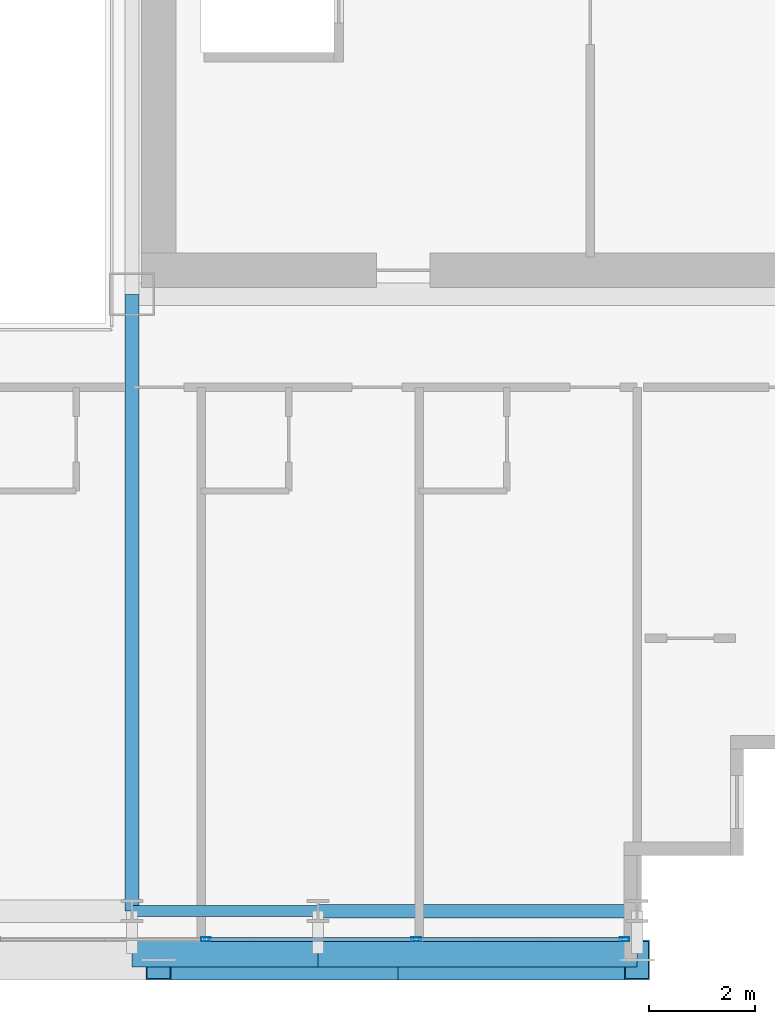
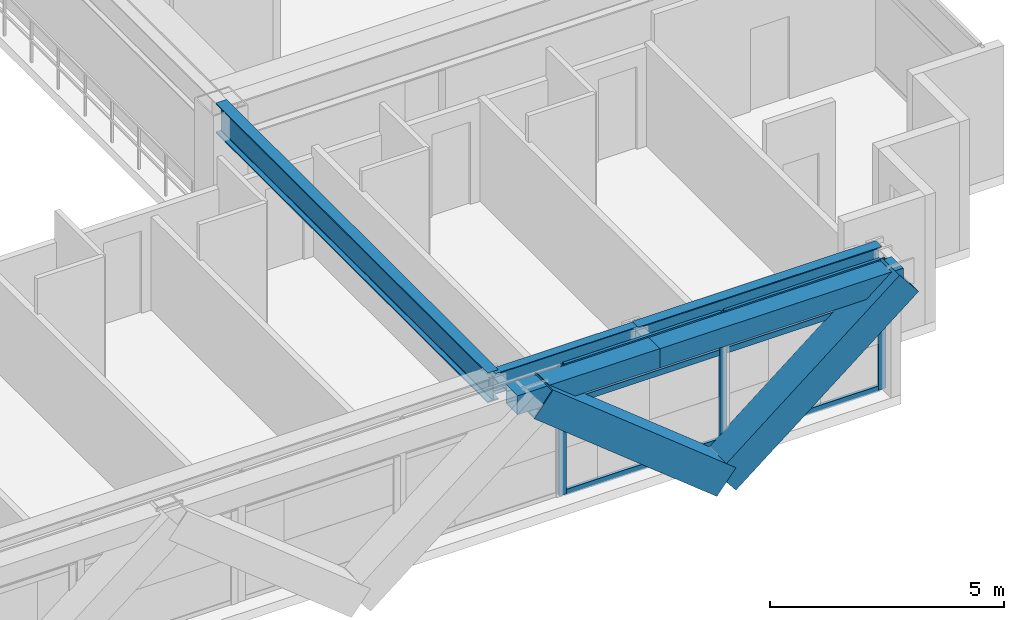
# One storey, part 10 of 36: 11 members, 5 beams, 1 element without a shape of its own.
"""IFC4 building model written with IfcOpenShell, lengths in metres."""

from ifc_helpers import new_model, si_unit, direction, frame, origin, origin_2d, place, context, subcontext, project, spatial, hollow_rectangle, i_section, extrude, source, transform, mapped, material, layer, layer_set, material_profile, profile_set, type_object, element, aggregate, save


model = new_model("IFC4")

# Units and contexts
model_context = context("Model", 3, precision=1e-05, world=origin(), true_north=direction((0.0, 1.0)))
body_context = subcontext(model_context, "Body", "Model", "MODEL_VIEW")
ifc_project = project(units=[si_unit("LENGTHUNIT", "METRE"), si_unit("AREAUNIT", "SQUARE_METRE"), si_unit("VOLUMEUNIT", "CUBIC_METRE"), si_unit("PLANEANGLEUNIT", "RADIAN"), si_unit("MASSUNIT", "GRAM", prefix="KILO")], contexts=[model_context])

# Site, building, storey
site_placement = place(None, origin())
site = spatial("IfcSite", under=ifc_project, at=site_placement, CompositionType="ELEMENT")
building_placement = place(site_placement, origin())
building = spatial("IfcBuilding", under=site, at=building_placement, Name="Ocotamira Hotel", CompositionType="ELEMENT")
storey_placement = place(building_placement, frame((0.0, 0.0, 129.60009765625)))
storey = spatial("IfcBuildingStorey", under=building, at=storey_placement, Name="L32", CompositionType="ELEMENT", Elevation=129.60009765625)

# Beams
ifc_material_1 = material(Name="Steel ASTM A992 Grade 50", Category="steel")
ifc_material_profile_1 = material_profile(ifc_material_1, i_section(OverallWidth=0.256103515625, OverallDepth=0.693115234375, WebThickness=0.014404296875, FlangeThickness=0.023681640625, FilletRadius=0.01611328125, at=origin_2d()), Name="W27X114")
ifc_profile_set_1 = profile_set([ifc_material_profile_1], Name="Steel ASTM A992 Grade 50")
beam_type_1 = type_object("IfcBeamType", Name="BM-PRIM-W27X114", PredefinedType="BEAM", material=ifc_profile_set_1)
shared_shape_1 = source(origin(), body_context, "Body", "SweptSolid", [
    extrude(i_section(OverallWidth=0.256103515625, OverallDepth=0.693115234375, WebThickness=0.014404296875, FlangeThickness=0.023681640625, FilletRadius=0.01611328125, at=origin_2d()), origin(), (0.0, 0.0, 1.0), 6.0),
])
beam_1_placement = place(storey_placement, frame((44.0, 2.949951171875, 3.013427734375), z_axis=(1.0, 0.0, 0.0), x_axis=(0.0, 1.0, 0.0)))
element("IfcBeam", 1, at=beam_1_placement, inside=storey, type_object=beam_type_1, Name="L32 Girder Y2.95 X44-50", PredefinedType="BEAM", context=body_context, shape_type="MappedRepresentation", body=[
    mapped(shared_shape_1, transform((0.0, 0.0, 0.0), scale=1.0)),
])
ifc_material_profile_2 = material_profile(ifc_material_1, i_section(OverallWidth=0.2099609375, OverallDepth=0.537109375, WebThickness=0.010986328125, FlangeThickness=0.017333984375, FilletRadius=0.012939453125, at=origin_2d()), Name="W21X68")
ifc_profile_set_2 = profile_set([ifc_material_profile_2], Name="Steel ASTM A992 Grade 50")
beam_type_2 = type_object("IfcBeamType", Name="BM-SEC-W21X68", PredefinedType="JOIST", material=ifc_profile_set_2)
shared_shape_2 = source(origin(), body_context, "Body", "SweptSolid", [
    extrude(i_section(OverallWidth=0.2099609375, OverallDepth=0.537109375, WebThickness=0.010986328125, FlangeThickness=0.017333984375, FilletRadius=0.012939453125, at=origin_2d()), origin(), (0.0, 0.0, 1.0), 3.5),
])
beam_2_placement = place(storey_placement, frame((40.5, 2.949951171875, 3.09130859375), z_axis=(1.0, 0.0, 0.0), x_axis=(0.0, 1.0, 0.0)))
element("IfcBeam", 2, at=beam_2_placement, inside=storey, type_object=beam_type_2, Name="L32 Girder Y2.95 X40.5-44", PredefinedType="JOIST", context=body_context, shape_type="MappedRepresentation", body=[
    mapped(shared_shape_2, transform((0.0, 0.0, 0.0), scale=1.0)),
])
ifc_material_profile_3 = material_profile(ifc_material_1, i_section(OverallWidth=0.26611328125, OverallDepth=0.779052734375, WebThickness=0.0166015625, FlangeThickness=0.030029296875, FilletRadius=0.01806640625, at=origin_2d()), Name="W30X148")
ifc_profile_set_3 = profile_set([ifc_material_profile_3], Name="Steel ASTM A992 Grade 50")
beam_type_3 = type_object("IfcBeamType", Name="BM-GIRD-W30X148", PredefinedType="BEAM", material=ifc_profile_set_3)
shared_shape_3 = source(origin(), body_context, "Body", "SweptSolid", [
    extrude(i_section(OverallWidth=0.26611328125, OverallDepth=0.779052734375, WebThickness=0.0166015625, FlangeThickness=0.030029296875, FilletRadius=0.01806640625, at=origin_2d()), origin(), (0.0, 0.0, 1.0), 11.60009765625),
])
beam_3_placement = place(storey_placement, frame((40.5, 2.949951171875, 2.970458984375), z_axis=(0.0, 1.0, 0.0), x_axis=(-1.0, 0.0, 0.0)))
element("IfcBeam", 3, at=beam_3_placement, inside=storey, type_object=beam_type_3, Name="L32 Beam X40.5 Y2.95-14.55", PredefinedType="BEAM", context=body_context, shape_type="MappedRepresentation", body=[
    mapped(shared_shape_3, transform((0.0, 0.0, 0.0), scale=1.0)),
])
ifc_material_2 = material(Name="Steel ASTM A500 Grade C", Category="steel")
ifc_material_profile_4 = material_profile(ifc_material_2, hollow_rectangle(XDim=0.5, YDim=0.5, WallThickness=0.02001953125, at=origin_2d()), Name="HSS500X500X20")
ifc_profile_set_4 = profile_set([ifc_material_profile_4], Name="Steel ASTM A500 Grade C")
beam_type_4 = type_object("IfcBeamType", Name="BM-SPAN-HSS500", PredefinedType="USERDEFINED", material=ifc_profile_set_4)
shared_shape_4 = source(origin(), body_context, "Body", "SweptSolid", [
    extrude(hollow_rectangle(XDim=0.5, YDim=0.5, WallThickness=0.02001953125, at=origin_2d()), origin(), (0.0, 0.0, 1.0), 6.0),
])
beam_4_placement = place(storey_placement, frame((44.0, 2.14990234375, 3.10986328125), z_axis=(1.0, 0.0, 0.0), x_axis=(0.0, 1.0, 0.0)))
element("IfcBeam", 4, at=beam_4_placement, inside=storey, type_object=beam_type_4, Name="L32 Edge Spandrel S X44-50", ObjectType="SPANDREL", PredefinedType="USERDEFINED", context=body_context, shape_type="MappedRepresentation", body=[
    mapped(shared_shape_4, transform((0.0, 0.0, 0.0), scale=1.0)),
])
shared_shape_5 = source(origin(), body_context, "Body", "SweptSolid", [
    extrude(hollow_rectangle(XDim=0.5, YDim=0.5, WallThickness=0.02001953125, at=origin_2d()), origin(), (0.0, 0.0, 1.0), 3.5),
])
beam_5_placement = place(storey_placement, frame((40.5, 2.14990234375, 3.10986328125), z_axis=(1.0, 0.0, 0.0), x_axis=(0.0, 1.0, 0.0)))
element("IfcBeam", 5, at=beam_5_placement, inside=storey, type_object=beam_type_4, Name="L32 Edge Spandrel S X40.5-44", ObjectType="SPANDREL", PredefinedType="USERDEFINED", context=body_context, shape_type="MappedRepresentation", body=[
    mapped(shared_shape_5, transform((0.0, 0.0, 0.0), scale=1.0)),
])

# Members
ifc_material_3 = material(Name="Pale-metal coated steel ASTM A913 Grade 65", Category="steel")
ifc_material_profile_5 = material_profile(ifc_material_3, hollow_rectangle(XDim=0.75, YDim=0.75, WallThickness=0.028076171875, at=origin_2d()), Name="BOX750X750X28")
ifc_profile_set_5 = profile_set([ifc_material_profile_5], Name="Pale-metal coated steel ASTM A913 Grade 65")
member_type_1 = type_object("IfcMemberType", Name="MEM-EXO-BOX750", PredefinedType="BRACE", material=ifc_profile_set_5)
shared_shape_6 = source(origin(), body_context, "Body", "SweptSolid", [
    extrude(hollow_rectangle(XDim=0.75, YDim=0.75, WallThickness=0.028076171875, at=origin_2d()), origin(), (0.0, 0.0, 1.0), 5.7626953125),
])
for number, where, z_axis, x_axis, name in (
    (6, (45.5, 2.030029296875, -0.489990234375), (-0.780881208953, 0.0, 0.624679547852), (0.0, -1.0, 0.0), "L32 Exoskeleton Diagrid S3.1"),
    (7, (45.5, 2.030029296875, -0.489990234375), (0.780881208953, 0.0, 0.624679547852), (0.0, 1.0, 0.0), "L32 Exoskeleton Diagrid S3.2"),
):
    element("IfcMember", number, at=place(storey_placement, frame(where, z_axis=z_axis, x_axis=x_axis)), inside=storey, type_object=member_type_1, Name=name, PredefinedType="BRACE", context=body_context, shape_type="MappedRepresentation", body=[
        mapped(shared_shape_6, transform((0.0, 0.0, 0.0), scale=1.0)),
    ])

# Curtain wall, members
ifc_material_4 = material(Name="Anodised pale-metal aluminium and solar glass", Category="aluminium")
ifc_layer = layer(ifc_material_4, 0.179931640625)
ifc_layer_set = layer_set([ifc_layer], Name="Anodised pale-metal aluminium and solar glass")
curtain_wall_type = type_object("IfcCurtainWallType", Name="CW-SYS3-Z2", PredefinedType="NOTDEFINED", material=ifc_layer_set)
curtain_wall_placement = place(storey_placement, origin())
curtain_wall = element("IfcCurtainWall", 8, at=curtain_wall_placement, inside=storey, type_object=curtain_wall_type, Name="L32 Curtain Wall CW-3 CW-L32-S1", PredefinedType="NOTDEFINED")
ifc_material_5 = material(Name="Anodised pale-metal aluminium 6063-T6", Category="aluminium")
ifc_material_profile_6 = material_profile(ifc_material_5, hollow_rectangle(XDim=0.074951171875, YDim=0.14990234375, WallThickness=0.006103515625, at=origin_2d()), Name="HSS150X75X6")
ifc_profile_set_6 = profile_set([ifc_material_profile_6], Name="Anodised pale-metal aluminium 6063-T6")
member_type_2 = type_object("IfcMemberType", Name="CWT-150X75", PredefinedType="USERDEFINED", material=ifc_profile_set_6)
shared_shape_7 = source(origin(), body_context, "Body", "SweptSolid", [
    extrude(hollow_rectangle(XDim=0.074951171875, YDim=0.14990234375, WallThickness=0.006103515625, at=origin_2d()), origin(), (0.0, 0.0, 1.0), 3.83544921875),
])
member_1_placement = place(storey_placement, frame((45.884521484375, 2.419921875, 0.037353515625), z_axis=(1.0, 0.0, 0.0), x_axis=(0.0, 1.0, 0.0)))
member_1 = element("IfcMember", 9, at=member_1_placement, type_object=member_type_2, Name="CW-3 transom 9.1", ObjectType="TRANSOM", PredefinedType="USERDEFINED", context=body_context, shape_type="MappedRepresentation", body=[
    mapped(shared_shape_7, transform((0.0, 0.0, 0.0), scale=1.0)),
])
member_2_placement = place(storey_placement, frame((45.884521484375, 2.419921875, 2.349853515625), z_axis=(1.0, 0.0, 0.0), x_axis=(0.0, 1.0, 0.0)))
member_2 = element("IfcMember", 10, at=member_2_placement, type_object=member_type_2, Name="CW-3 transom 9.2", ObjectType="TRANSOM", PredefinedType="USERDEFINED", context=body_context, shape_type="MappedRepresentation", body=[
    mapped(shared_shape_7, transform((0.0, 0.0, 0.0), scale=1.0)),
])
member_3_placement = place(storey_placement, frame((45.884521484375, 2.419921875, 3.322509765625), z_axis=(1.0, 0.0, 0.0), x_axis=(0.0, 1.0, 0.0)))
member_3 = element("IfcMember", 11, at=member_3_placement, type_object=member_type_2, Name="CW-3 transom 9.3", ObjectType="TRANSOM", PredefinedType="USERDEFINED", context=body_context, shape_type="MappedRepresentation", body=[
    mapped(shared_shape_7, transform((0.0, 0.0, 0.0), scale=1.0)),
])
shared_shape_8 = source(origin(), body_context, "Body", "SweptSolid", [
    extrude(hollow_rectangle(XDim=0.074951171875, YDim=0.14990234375, WallThickness=0.006103515625, at=origin_2d()), origin(), (0.0, 0.0, 1.0), 3.87548828125),
])
member_4_placement = place(storey_placement, frame((41.928955078125, 2.419921875, 0.037353515625), z_axis=(1.0, 0.0, 0.0), x_axis=(0.0, 1.0, 0.0)))
member_4 = element("IfcMember", 12, at=member_4_placement, type_object=member_type_2, Name="CW-3 transom 8.1", ObjectType="TRANSOM", PredefinedType="USERDEFINED", context=body_context, shape_type="MappedRepresentation", body=[
    mapped(shared_shape_8, transform((0.0, 0.0, 0.0), scale=1.0)),
])
member_5_placement = place(storey_placement, frame((41.928955078125, 2.419921875, 2.349853515625), z_axis=(1.0, 0.0, 0.0), x_axis=(0.0, 1.0, 0.0)))
member_5 = element("IfcMember", 13, at=member_5_placement, type_object=member_type_2, Name="CW-3 transom 8.2", ObjectType="TRANSOM", PredefinedType="USERDEFINED", context=body_context, shape_type="MappedRepresentation", body=[
    mapped(shared_shape_8, transform((0.0, 0.0, 0.0), scale=1.0)),
])
member_6_placement = place(storey_placement, frame((41.928955078125, 2.419921875, 3.322509765625), z_axis=(1.0, 0.0, 0.0), x_axis=(0.0, 1.0, 0.0)))
member_6 = element("IfcMember", 14, at=member_6_placement, type_object=member_type_2, Name="CW-3 transom 8.3", ObjectType="TRANSOM", PredefinedType="USERDEFINED", context=body_context, shape_type="MappedRepresentation", body=[
    mapped(shared_shape_8, transform((0.0, 0.0, 0.0), scale=1.0)),
])
ifc_material_profile_7 = material_profile(ifc_material_5, hollow_rectangle(XDim=0.080078125, YDim=0.179931640625, WallThickness=0.006103515625, at=origin_2d()), Name="HSS180X80X6")
ifc_profile_set_7 = profile_set([ifc_material_profile_7], Name="Anodised pale-metal aluminium 6063-T6")
member_type_3 = type_object("IfcMemberType", Name="CWM-180X75", PredefinedType="MULLION", material=ifc_profile_set_7)
shared_shape_9 = source(origin(), body_context, "Body", "SweptSolid", [
    extrude(hollow_rectangle(XDim=0.080078125, YDim=0.179931640625, WallThickness=0.006103515625, at=origin_2d()), origin(), (0.0, 0.0, 1.0), 3.35986328125),
])
member_7_placement = place(storey_placement, frame((41.888916015625, 2.419921875, 0.0), z_axis=(0.0, 0.0, 1.0), x_axis=(0.0, 1.0, 0.0)))
member_7 = element("IfcMember", 15, at=member_7_placement, type_object=member_type_3, Name="CW-3 mullion 8", PredefinedType="MULLION", context=body_context, shape_type="MappedRepresentation", body=[
    mapped(shared_shape_9, transform((0.0, 0.0, 0.0), scale=1.0)),
])
member_8_placement = place(storey_placement, frame((45.844482421875, 2.419921875, 0.0), z_axis=(0.0, 0.0, 1.0), x_axis=(0.0, 1.0, 0.0)))
member_8 = element("IfcMember", 16, at=member_8_placement, type_object=member_type_3, Name="CW-3 mullion 9", PredefinedType="MULLION", context=body_context, shape_type="MappedRepresentation", body=[
    mapped(shared_shape_9, transform((0.0, 0.0, 0.0), scale=1.0)),
])
member_9_placement = place(storey_placement, frame((49.760009765625, 2.419921875, 0.0), z_axis=(0.0, 0.0, 1.0), x_axis=(0.0, 1.0, 0.0)))
member_9 = element("IfcMember", 17, at=member_9_placement, type_object=member_type_3, Name="CW-3 mullion 10", PredefinedType="MULLION", context=body_context, shape_type="MappedRepresentation", body=[
    mapped(shared_shape_9, transform((0.0, 0.0, 0.0), scale=1.0)),
])
aggregate(curtain_wall, [member_7, member_8, member_9, member_4, member_5, member_6, member_1, member_2, member_3])

save(model, "model.ifc")
